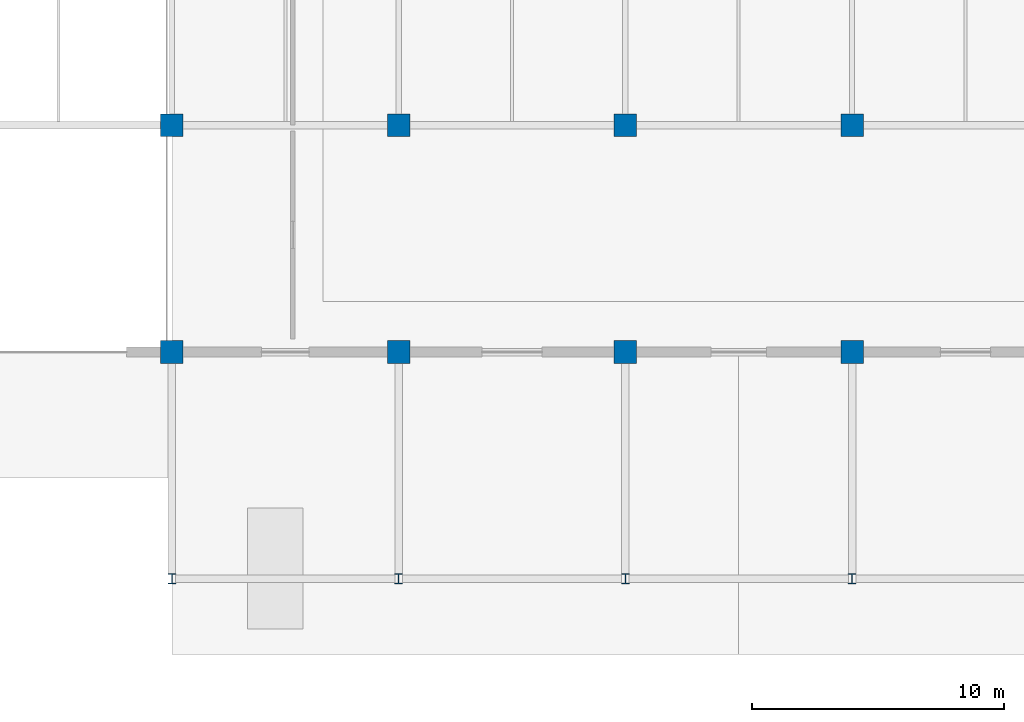
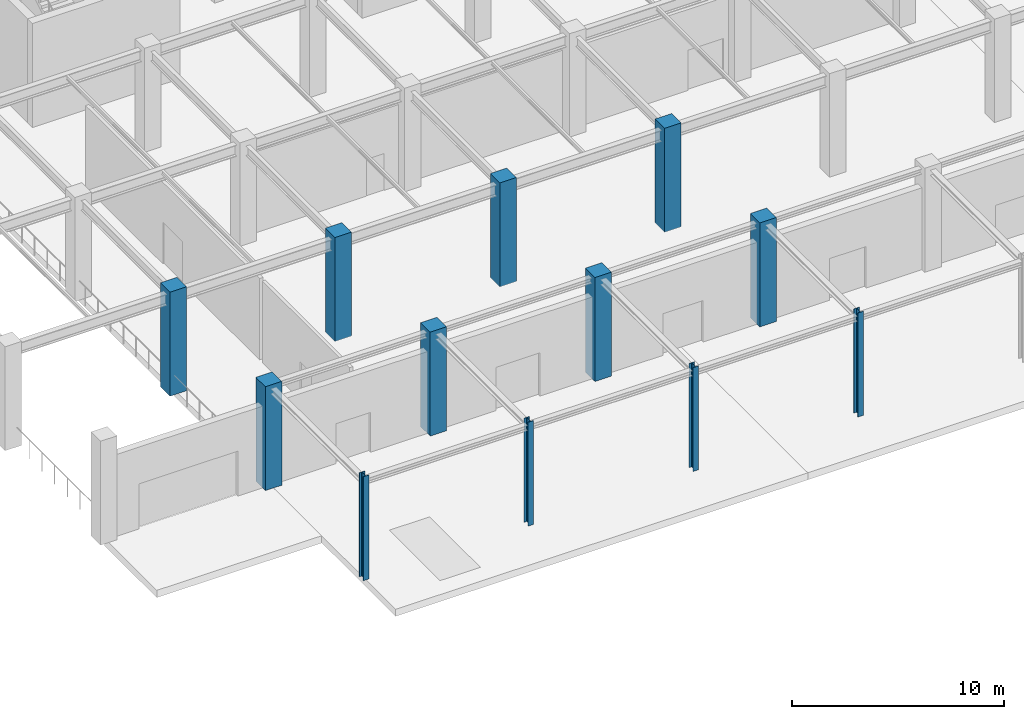
# One storey, part 2 of 91: 12 columns.
"""IFC4 building model written with IfcOpenShell, lengths in metres."""

from ifc_helpers import new_model, si_unit, direction, frame, origin, origin_2d, place, context, subcontext, project, spatial, rectangle, i_section, extrude, material, material_profile, profile_set, type_object, element, save


model = new_model("IFC4")

# Units and contexts
model_context = context("Model", 3, precision=1e-05, world=origin(), true_north=direction((0.0, 1.0)))
body_context = subcontext(model_context, "Body", "Model", "MODEL_VIEW")
ifc_project = project(units=[si_unit("LENGTHUNIT", "METRE"), si_unit("AREAUNIT", "SQUARE_METRE"), si_unit("VOLUMEUNIT", "CUBIC_METRE"), si_unit("PLANEANGLEUNIT", "RADIAN"), si_unit("MASSUNIT", "GRAM", prefix="KILO")], contexts=[model_context])

# Site, building, storey
site_placement = place(None, origin())
site = spatial("IfcSite", under=ifc_project, at=site_placement, CompositionType="ELEMENT")
building_placement = place(site_placement, origin())
building = spatial("IfcBuilding", under=site, at=building_placement, Name="Dornveld Trade and Exhibition Forum", CompositionType="ELEMENT")
storey_placement = place(building_placement, origin())
storey = spatial("IfcBuildingStorey", under=building, at=storey_placement, Name="L00", CompositionType="ELEMENT", Elevation=0.0)

# Columns
ifc_material_1 = material(Name="Precast concrete C50/60", Category="concrete")
ifc_material_profile_1 = material_profile(ifc_material_1, rectangle(XDim=0.89990234375, YDim=0.89990234375, at=origin_2d()), Name="PC-COL 900x900")
ifc_profile_set_1 = profile_set([ifc_material_profile_1], Name="Precast concrete C50/60")
column_type_1 = type_object("IfcColumnType", Name="COL-PC900", PredefinedType="COLUMN", material=ifc_profile_set_1)
for number, where, z_axis, x_axis, name in (
    (1, (99.0, 18.0, 0.0), (0.0, 0.0, 1.0), (1.0, 0.0, 0.0), "L00 column (99.0, 18.0)"),
    (2, (99.0, 27.0, 0.0), (0.0, 0.0, 1.0), (1.0, 0.0, 0.0), "L00 column (99.0, 27.0)"),
    (3, (108.0, 18.0, 0.0), (0.0, 0.0, 1.0), (1.0, 0.0, 0.0), "L00 column (108.0, 18.0)"),
    (4, (108.0, 27.0, 0.0), (0.0, 0.0, 1.0), (1.0, 0.0, 0.0), "L00 column (108.0, 27.0)"),
    (5, (117.0, 18.0, 0.0), (0.0, 0.0, 1.0), (1.0, 0.0, 0.0), "L00 column (117.0, 18.0)"),
    (6, (117.0, 27.0, 0.0), (0.0, 0.0, 1.0), (1.0, 0.0, 0.0), "L00 column (117.0, 27.0)"),
    (7, (126.0, 18.0, 0.0), (0.0, 0.0, 1.0), (1.0, 0.0, 0.0), "L00 column (126.0, 18.0)"),
    (8, (126.0, 27.0, 0.0), (0.0, 0.0, 1.0), (1.0, 0.0, 0.0), "L00 column (126.0, 27.0)"),
):
    element("IfcColumn", number, at=place(storey_placement, frame(where, z_axis=z_axis, x_axis=x_axis)), inside=storey, type_object=column_type_1, Name=name, PredefinedType="COLUMN", context=body_context, shape_type="SweptSolid", body=[
        extrude(rectangle(XDim=0.89990234375, YDim=0.89990234375, at=origin_2d()), origin(), (0.0, 0.0, 1.0), 6.0),
    ])
ifc_material_2 = material(Name="Steel S355J2", Category="steel")
ifc_material_profile_2 = material_profile(ifc_material_2, i_section(OverallWidth=0.300048828125, OverallDepth=0.39990234375, WebThickness=0.013427734375, FlangeThickness=0.02392578125, FilletRadius=0.027099609375, at=origin_2d()), Name="HEB 400")
ifc_profile_set_2 = profile_set([ifc_material_profile_2], Name="Steel S355J2")
column_type_2 = type_object("IfcColumnType", Name="COL-STL-HEB400", PredefinedType="COLUMN", material=ifc_profile_set_2)
for number, where, z_axis, x_axis, name in (
    (9, (99.0, 9.0, 0.0), (0.0, 0.0, 1.0), (1.0, 0.0, 0.0), "L00 column (99.0, 9.0)"),
    (10, (108.0, 9.0, 0.0), (0.0, 0.0, 1.0), (1.0, 0.0, 0.0), "L00 column (108.0, 9.0)"),
    (11, (117.0, 9.0, 0.0), (0.0, 0.0, 1.0), (1.0, 0.0, 0.0), "L00 column (117.0, 9.0)"),
    (12, (126.0, 9.0, 0.0), (0.0, 0.0, 1.0), (1.0, 0.0, 0.0), "L00 column (126.0, 9.0)"),
):
    element("IfcColumn", number, at=place(storey_placement, frame(where, z_axis=z_axis, x_axis=x_axis)), inside=storey, type_object=column_type_2, Name=name, PredefinedType="COLUMN", context=body_context, shape_type="SweptSolid", body=[
        extrude(i_section(OverallWidth=0.300048828125, OverallDepth=0.39990234375, WebThickness=0.013427734375, FlangeThickness=0.02392578125, FilletRadius=0.027099609375, at=origin_2d()), origin(), (0.0, 0.0, 1.0), 6.0),
    ])

save(model, "model.ifc")
